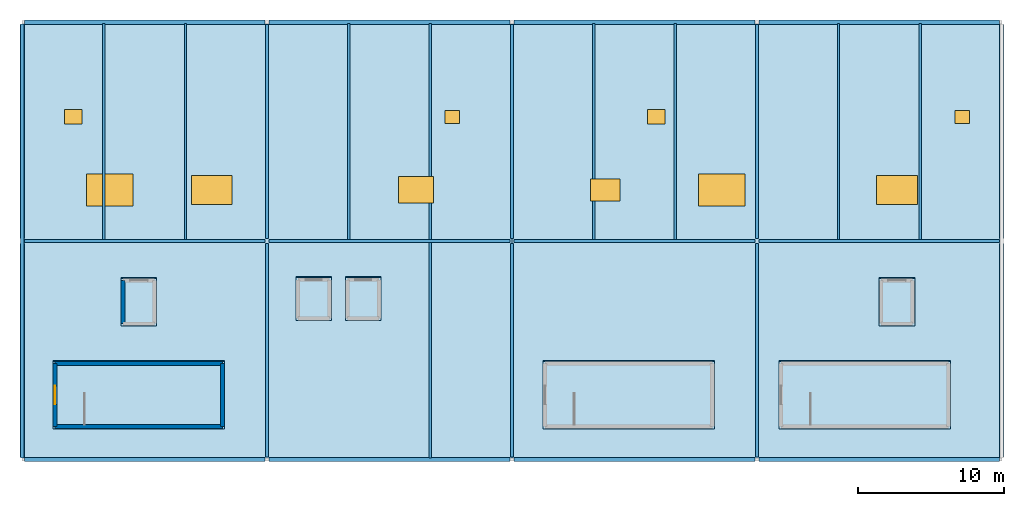
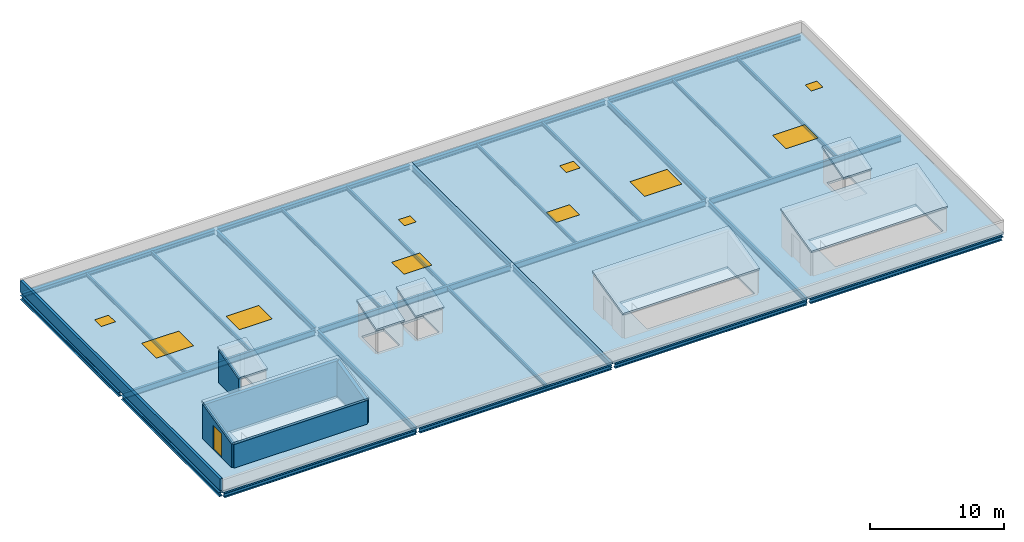
"""IFC4 building model written with IfcOpenShell, lengths in metres."""

from ifc_helpers import new_model, si_unit, direction, frame, frame_2d, origin, origin_2d, place, context, subcontext, project, spatial, polyline, rectangle, i_section, outline, extrude, material, layer, layer_set, material_profile, profile_set, type_object, element, fill, save


model = new_model("IFC4")

# Units and contexts
model_context = context("Model", 3, precision=1e-05, world=origin(), true_north=direction((0.0, 1.0)))
body_context = subcontext(model_context, "Body", "Model", "MODEL_VIEW")
ifc_project = project(units=[si_unit("LENGTHUNIT", "METRE"), si_unit("AREAUNIT", "SQUARE_METRE"), si_unit("VOLUMEUNIT", "CUBIC_METRE"), si_unit("PLANEANGLEUNIT", "RADIAN"), si_unit("MASSUNIT", "GRAM", prefix="KILO")], contexts=[model_context])

# Site, building, storey
site_placement = place(None, origin())
site = spatial("IfcSite", under=ifc_project, at=site_placement, CompositionType="ELEMENT")
building_placement = place(site_placement, origin())
building = spatial("IfcBuilding", under=site, at=building_placement, Name="Kimbaza Rail Terminus", CompositionType="ELEMENT")
storey_1_placement = place(building_placement, frame((0.0, 0.0, 28.800048828125)))
storey_1 = spatial("IfcBuildingStorey", under=building, at=storey_1_placement, Name="Roof", CompositionType="ELEMENT", Elevation=28.800048828125)

# Beams
ifc_material_1 = material(Name="Steel S355", Category="steel")
ifc_material_profile_1 = material_profile(ifc_material_1, i_section(OverallWidth=0.300048828125, OverallDepth=0.389892578125, WebThickness=0.010986328125, FlangeThickness=0.01904296875, FilletRadius=0.027099609375, at=origin_2d()), Name="HEA 400")
ifc_profile_set_1 = profile_set([ifc_material_profile_1], Name="Steel S355")
beam_type_1 = type_object("IfcBeamType", Name="STR-BM-HEA400", PredefinedType="SPANDREL", material=ifc_profile_set_1)
for number, where, z_axis, x_axis, name in (
    (1, (72.14599609375, 103.0, -0.400146484375), (1.0, 0.0, 0.0), (0.0, 1.0, 0.0), "Operations Girder Roof X0-Y0"),
    (2, (88.946044921875, 103.0, -0.400146484375), (1.0, 0.0, 0.0), (0.0, 1.0, 0.0), "Operations Girder Roof X1-Y0"),
):
    element("IfcBeam", number, at=place(storey_1_placement, frame(where, z_axis=z_axis, x_axis=x_axis)), inside=storey_1, type_object=beam_type_1, Name=name, PredefinedType="SPANDREL", context=body_context, shape_type="SweptSolid", body=[
        extrude(i_section(OverallWidth=0.300048828125, OverallDepth=0.389892578125, WebThickness=0.010986328125, FlangeThickness=0.01904296875, FilletRadius=0.027099609375, at=origin_2d()), origin(), (0.0, 0.0, 1.0), 16.508056640625),
    ])
beam_1_placement = place(storey_1_placement, frame((105.74609375, 103.0, -0.400146484375), z_axis=(1.0, 0.0, 0.0), x_axis=(0.0, 1.0, 0.0)))
element("IfcBeam", 3, at=beam_1_placement, inside=storey_1, type_object=beam_type_1, Name="Operations Girder Roof X2-Y0", PredefinedType="SPANDREL", context=body_context, shape_type="SweptSolid", body=[
    extrude(i_section(OverallWidth=0.300048828125, OverallDepth=0.389892578125, WebThickness=0.010986328125, FlangeThickness=0.01904296875, FilletRadius=0.027099609375, at=origin_2d()), origin(), (0.0, 0.0, 1.0), 16.5078125),
])
for number, where, z_axis, x_axis, name in (
    (4, (122.5458984375, 103.0, -0.400146484375), (1.0, 0.0, 0.0), (0.0, 1.0, 0.0), "Operations Girder Roof X3-Y0"),
    (5, (72.14599609375, 133.0, -0.400146484375), (1.0, 0.0, 0.0), (0.0, 1.0, 0.0), "Operations Girder Roof X0-Y2"),
    (6, (88.946044921875, 133.0, -0.400146484375), (1.0, 0.0, 0.0), (0.0, 1.0, 0.0), "Operations Girder Roof X1-Y2"),
):
    element("IfcBeam", number, at=place(storey_1_placement, frame(where, z_axis=z_axis, x_axis=x_axis)), inside=storey_1, type_object=beam_type_1, Name=name, PredefinedType="SPANDREL", context=body_context, shape_type="SweptSolid", body=[
        extrude(i_section(OverallWidth=0.300048828125, OverallDepth=0.389892578125, WebThickness=0.010986328125, FlangeThickness=0.01904296875, FilletRadius=0.027099609375, at=origin_2d()), origin(), (0.0, 0.0, 1.0), 16.508056640625),
    ])
beam_2_placement = place(storey_1_placement, frame((105.74609375, 133.0, -0.400146484375), z_axis=(1.0, 0.0, 0.0), x_axis=(0.0, 1.0, 0.0)))
element("IfcBeam", 7, at=beam_2_placement, inside=storey_1, type_object=beam_type_1, Name="Operations Girder Roof X2-Y2", PredefinedType="SPANDREL", context=body_context, shape_type="SweptSolid", body=[
    extrude(i_section(OverallWidth=0.300048828125, OverallDepth=0.389892578125, WebThickness=0.010986328125, FlangeThickness=0.01904296875, FilletRadius=0.027099609375, at=origin_2d()), origin(), (0.0, 0.0, 1.0), 16.5078125),
])
beam_3_placement = place(storey_1_placement, frame((122.5458984375, 133.0, -0.400146484375), z_axis=(1.0, 0.0, 0.0), x_axis=(0.0, 1.0, 0.0)))
element("IfcBeam", 8, at=beam_3_placement, inside=storey_1, type_object=beam_type_1, Name="Operations Girder Roof X3-Y2", PredefinedType="SPANDREL", context=body_context, shape_type="SweptSolid", body=[
    extrude(i_section(OverallWidth=0.300048828125, OverallDepth=0.389892578125, WebThickness=0.010986328125, FlangeThickness=0.01904296875, FilletRadius=0.027099609375, at=origin_2d()), origin(), (0.0, 0.0, 1.0), 16.508056640625),
])
for number, where, z_axis, x_axis, name in (
    (9, (72.0, 103.175048828125, -0.400146484375), (0.0, 1.0, 0.0), (-1.0, 0.0, 0.0), "Operations Cross Girder Roof X0-Y0"),
    (10, (72.0, 118.175048828125, -0.400146484375), (0.0, 1.0, 0.0), (-1.0, 0.0, 0.0), "Operations Cross Girder Roof X0-Y1"),
    (11, (139.199951171875, 103.175048828125, -0.400146484375), (0.0, 1.0, 0.0), (-1.0, 0.0, 0.0), "Operations Cross Girder Roof X4-Y0"),
    (12, (139.199951171875, 118.175048828125, -0.400146484375), (0.0, 1.0, 0.0), (-1.0, 0.0, 0.0), "Operations Cross Girder Roof X4-Y1"),
):
    element("IfcBeam", number, at=place(storey_1_placement, frame(where, z_axis=z_axis, x_axis=x_axis)), inside=storey_1, type_object=beam_type_1, Name=name, PredefinedType="SPANDREL", context=body_context, shape_type="SweptSolid", body=[
        extrude(i_section(OverallWidth=0.300048828125, OverallDepth=0.389892578125, WebThickness=0.010986328125, FlangeThickness=0.01904296875, FilletRadius=0.027099609375, at=origin_2d()), origin(), (0.0, 0.0, 1.0), 14.64990234375),
    ])
ifc_material_2 = material(Name="Steel S355", Category="steel")
ifc_material_profile_2 = material_profile(ifc_material_2, i_section(OverallWidth=0.159912109375, OverallDepth=0.330078125, WebThickness=0.007568359375, FlangeThickness=0.011474609375, FilletRadius=0.01806640625, at=origin_2d()), Name="IPE 330")
ifc_profile_set_2 = profile_set([ifc_material_profile_2], Name="Steel S355")
beam_type_2 = type_object("IfcBeamType", Name="STR-BM-IPE330", PredefinedType="JOIST", material=ifc_profile_set_2)
for number, where, z_axis, x_axis, name in (
    (13, (77.60009765625, 118.10009765625, -0.3701171875), (0.0, 1.0, 0.0), (-1.0, 0.0, 0.0), "Operations Secondary Joist Roof"),
    (14, (83.199951171875, 118.10009765625, -0.3701171875), (0.0, 1.0, 0.0), (-1.0, 0.0, 0.0), "Operations Secondary Joist Roof"),
    (15, (94.39990234375, 118.10009765625, -0.3701171875), (0.0, 1.0, 0.0), (-1.0, 0.0, 0.0), "Operations Secondary Joist Roof"),
    (16, (100.0, 103.10009765625, -0.3701171875), (0.0, 1.0, 0.0), (-1.0, 0.0, 0.0), "Operations Secondary Joist Roof"),
    (17, (100.0, 118.10009765625, -0.3701171875), (0.0, 1.0, 0.0), (-1.0, 0.0, 0.0), "Operations Secondary Joist Roof"),
    (18, (111.199951171875, 118.10009765625, -0.3701171875), (0.0, 1.0, 0.0), (-1.0, 0.0, 0.0), "Operations Secondary Joist Roof"),
    (19, (116.800048828125, 118.10009765625, -0.3701171875), (0.0, 1.0, 0.0), (-1.0, 0.0, 0.0), "Operations Secondary Joist Roof"),
    (20, (128.0, 118.10009765625, -0.3701171875), (0.0, 1.0, 0.0), (-1.0, 0.0, 0.0), "Operations Secondary Joist Roof"),
    (21, (133.60009765625, 118.10009765625, -0.3701171875), (0.0, 1.0, 0.0), (-1.0, 0.0, 0.0), "Operations Secondary Joist Roof"),
):
    element("IfcBeam", number, at=place(storey_1_placement, frame(where, z_axis=z_axis, x_axis=x_axis)), inside=storey_1, type_object=beam_type_2, Name=name, PredefinedType="JOIST", context=body_context, shape_type="SweptSolid", body=[
        extrude(i_section(OverallWidth=0.159912109375, OverallDepth=0.330078125, WebThickness=0.007568359375, FlangeThickness=0.011474609375, FilletRadius=0.01806640625, at=origin_2d()), origin(), (0.0, 0.0, 1.0), 14.7998046875),
    ])
ifc_material_3 = material(Name="Steel S355", Category="steel")
ifc_material_profile_3 = material_profile(ifc_material_3, i_section(OverallWidth=0.199951171875, OverallDepth=0.5, WebThickness=0.01025390625, FlangeThickness=0.01611328125, FilletRadius=0.02099609375, at=origin_2d()), Name="IPE 500")
ifc_profile_set_3 = profile_set([ifc_material_profile_3], Name="Steel S355")
beam_type_3 = type_object("IfcBeamType", Name="STR-BM-IPE500", PredefinedType="BEAM", material=ifc_profile_set_3)
for number, where, z_axis, x_axis, name in (
    (22, (88.800048828125, 103.175048828125, -0.455078125), (0.0, 1.0, 0.0), (-1.0, 0.0, 0.0), "Operations Cross Girder Roof X1-Y0"),
    (23, (88.800048828125, 118.175048828125, -0.455078125), (0.0, 1.0, 0.0), (-1.0, 0.0, 0.0), "Operations Cross Girder Roof X1-Y1"),
    (24, (105.60009765625, 103.175048828125, -0.455078125), (0.0, 1.0, 0.0), (-1.0, 0.0, 0.0), "Operations Cross Girder Roof X2-Y0"),
    (25, (105.60009765625, 118.175048828125, -0.455078125), (0.0, 1.0, 0.0), (-1.0, 0.0, 0.0), "Operations Cross Girder Roof X2-Y1"),
    (26, (122.39990234375, 103.175048828125, -0.455078125), (0.0, 1.0, 0.0), (-1.0, 0.0, 0.0), "Operations Cross Girder Roof X3-Y0"),
    (27, (122.39990234375, 118.175048828125, -0.455078125), (0.0, 1.0, 0.0), (-1.0, 0.0, 0.0), "Operations Cross Girder Roof X3-Y1"),
):
    element("IfcBeam", number, at=place(storey_1_placement, frame(where, z_axis=z_axis, x_axis=x_axis)), inside=storey_1, type_object=beam_type_3, Name=name, PredefinedType="BEAM", context=body_context, shape_type="SweptSolid", body=[
        extrude(i_section(OverallWidth=0.199951171875, OverallDepth=0.5, WebThickness=0.01025390625, FlangeThickness=0.01611328125, FilletRadius=0.02099609375, at=origin_2d()), origin(), (0.0, 0.0, 1.0), 14.64990234375),
    ])
ifc_material_4 = material(Name="Steel S355", Category="steel")
ifc_material_profile_4 = material_profile(ifc_material_4, i_section(OverallWidth=0.2099609375, OverallDepth=0.550048828125, WebThickness=0.010986328125, FlangeThickness=0.01708984375, FilletRadius=0.02392578125, at=origin_2d()), Name="IPE 550")
ifc_profile_set_4 = profile_set([ifc_material_profile_4], Name="Steel S355")
beam_type_4 = type_object("IfcBeamType", Name="STR-BM-IPE550", PredefinedType="BEAM", material=ifc_profile_set_4)
for number, where, z_axis, x_axis, name in (
    (28, (72.14599609375, 118.0, -0.47998046875), (1.0, 0.0, 0.0), (0.0, 1.0, 0.0), "Operations Girder Roof X0-Y1"),
    (29, (88.946044921875, 118.0, -0.47998046875), (1.0, 0.0, 0.0), (0.0, 1.0, 0.0), "Operations Girder Roof X1-Y1"),
):
    element("IfcBeam", number, at=place(storey_1_placement, frame(where, z_axis=z_axis, x_axis=x_axis)), inside=storey_1, type_object=beam_type_4, Name=name, PredefinedType="BEAM", context=body_context, shape_type="SweptSolid", body=[
        extrude(i_section(OverallWidth=0.2099609375, OverallDepth=0.550048828125, WebThickness=0.010986328125, FlangeThickness=0.01708984375, FilletRadius=0.02392578125, at=origin_2d()), origin(), (0.0, 0.0, 1.0), 16.508056640625),
    ])
beam_4_placement = place(storey_1_placement, frame((105.74609375, 118.0, -0.47998046875), z_axis=(1.0, 0.0, 0.0), x_axis=(0.0, 1.0, 0.0)))
element("IfcBeam", 30, at=beam_4_placement, inside=storey_1, type_object=beam_type_4, Name="Operations Girder Roof X2-Y1", PredefinedType="BEAM", context=body_context, shape_type="SweptSolid", body=[
    extrude(i_section(OverallWidth=0.2099609375, OverallDepth=0.550048828125, WebThickness=0.010986328125, FlangeThickness=0.01708984375, FilletRadius=0.02392578125, at=origin_2d()), origin(), (0.0, 0.0, 1.0), 16.5078125),
])
beam_5_placement = place(storey_1_placement, frame((122.5458984375, 118.0, -0.47998046875), z_axis=(1.0, 0.0, 0.0), x_axis=(0.0, 1.0, 0.0)))
element("IfcBeam", 31, at=beam_5_placement, inside=storey_1, type_object=beam_type_4, Name="Operations Girder Roof X3-Y1", PredefinedType="BEAM", context=body_context, shape_type="SweptSolid", body=[
    extrude(i_section(OverallWidth=0.2099609375, OverallDepth=0.550048828125, WebThickness=0.010986328125, FlangeThickness=0.01708984375, FilletRadius=0.02392578125, at=origin_2d()), origin(), (0.0, 0.0, 1.0), 16.508056640625),
])

# Slab, openings, doors
ifc_material_5 = material(Name="Concrete C40/50", Category="concrete")
ifc_layer_1 = layer(ifc_material_5, 0.205078125)
ifc_layer_set_1 = layer_set([ifc_layer_1], Name="Concrete C40/50")
slab_type = type_object("IfcSlabType", Name="STR-SL-RF205", PredefinedType="ROOF", material=ifc_layer_set_1)
slab_1_placement = place(storey_1_placement, frame((0.0, 0.0, -0.205078125)))
slab_1 = element("IfcSlab", 32, at=slab_1_placement, inside=storey_1, type_object=slab_type, Name="Operations Wing Roof Slab Zone 1", PredefinedType="ROOF", context=body_context, shape_type="SweptSolid", body=[
    extrude(outline(polyline([(72.0, 103.0), (105.60009765625, 103.0), (105.60009765625, 133.0), (72.0, 133.0), (72.0, 103.0)]), holes=[polyline([(76.344970703125, 105.39990234375), (85.60009765625, 105.39990234375), (85.60009765625, 109.43994140625), (76.344970703125, 109.43994140625), (76.344970703125, 105.39990234375)]), polyline([(91.050048828125, 112.800048828125), (92.949951171875, 112.800048828125), (92.949951171875, 115.199951171875), (91.050048828125, 115.199951171875), (91.050048828125, 112.800048828125)]), polyline([(94.449951171875, 112.800048828125), (96.35009765625, 112.800048828125), (96.35009765625, 115.199951171875), (94.449951171875, 115.199951171875), (94.449951171875, 112.800048828125)]), polyline([(79.050048828125, 112.449951171875), (80.949951171875, 112.449951171875), (80.949951171875, 115.14990234375), (79.050048828125, 115.14990234375), (79.050048828125, 112.449951171875)])]), origin(), (0.0, 0.0, 1.0), 0.205078125),
])
opening_1_placement = place(slab_1_placement, frame((78.0, 121.5, 0.0)))
opening_1 = element("IfcOpeningElement", 33, at=opening_1_placement, cuts=slab_1, Name="Opening SK-01", PredefinedType="OPENING", context=body_context, shape_type="SweptSolid", body=[
    extrude(rectangle(XDim=3.199951171875, YDim=2.199951171875, at=origin_2d()), frame((0.0, 0.0, -0.010009765625)), (0.0, 0.0, 1.0), 0.22509765625),
])
opening_2_placement = place(slab_1_placement, frame((85.0, 121.5, 0.0)))
opening_2 = element("IfcOpeningElement", 34, at=opening_2_placement, cuts=slab_1, Name="Opening SK-02", PredefinedType="OPENING", context=body_context, shape_type="SweptSolid", body=[
    extrude(rectangle(XDim=2.800048828125, YDim=2.0, at=origin_2d()), frame((0.0, 0.0, -0.010009765625)), (0.0, 0.0, 1.0), 0.22509765625),
])
opening_3_placement = place(slab_1_placement, frame((99.0, 121.5, 0.0)))
opening_3 = element("IfcOpeningElement", 35, at=opening_3_placement, cuts=slab_1, Name="Opening SK-03", PredefinedType="OPENING", context=body_context, shape_type="SweptSolid", body=[
    extrude(rectangle(XDim=2.39990234375, YDim=1.800048828125, at=origin_2d()), frame((0.0, 0.0, -0.010009765625)), (0.0, 0.0, 1.0), 0.22509765625),
])
opening_4_placement = place(slab_1_placement, frame((75.5, 126.5, 0.0)))
opening_4 = element("IfcOpeningElement", 36, at=opening_4_placement, cuts=slab_1, Name="Opening D-HT1", PredefinedType="OPENING", context=body_context, shape_type="SweptSolid", body=[
    extrude(rectangle(XDim=1.199951171875, YDim=1.0, at=origin_2d()), frame((0.0, 0.0, -0.010009765625)), (0.0, 0.0, 1.0), 0.22509765625),
])
opening_5_placement = place(slab_1_placement, frame((101.5, 126.5, 0.0)))
opening_5 = element("IfcOpeningElement", 37, at=opening_5_placement, cuts=slab_1, Name="Opening D-HT2", PredefinedType="OPENING", context=body_context, shape_type="SweptSolid", body=[
    extrude(rectangle(XDim=1.0, YDim=0.89990234375, at=origin_2d()), frame((0.0, 0.0, -0.010009765625)), (0.0, 0.0, 1.0), 0.22509765625),
])
ifc_material_6 = material(Name="Insulated aluminium roof access hatch", Category="aluminium")
door_type_1 = type_object("IfcDoorType", Name="ARC-DR-HT100", OperationType="NOTDEFINED", PredefinedType="TRAPDOOR", material=ifc_material_6)
door_1_placement = place(opening_5_placement, frame((0.0, 0.0, 0.155029296875)))
door_1 = element("IfcDoor", 38, at=door_1_placement, inside=storey_1, type_object=door_type_1, Name="HTC-V5-02", OperationType="SINGLE_SWING_LEFT", OverallHeight=0.89990234375, OverallWidth=1.0, PredefinedType="TRAPDOOR", context=body_context, shape_type="SweptSolid", body=[
    extrude(rectangle(XDim=1.0, YDim=0.89990234375, at=origin_2d()), origin(), (0.0, 0.0, 1.0), 0.050048828125),
])
fill(opening_5, door_1)
ifc_material_7 = material(Name="Insulated aluminium roof access hatch", Category="aluminium")
door_type_2 = type_object("IfcDoorType", Name="ARC-DR-HT120", OperationType="NOTDEFINED", PredefinedType="TRAPDOOR", material=ifc_material_7)
door_2_placement = place(opening_4_placement, frame((0.0, 0.0, 0.155029296875)))
door_2 = element("IfcDoor", 39, at=door_2_placement, inside=storey_1, type_object=door_type_2, Name="HTC-V5-01", OperationType="SINGLE_SWING_LEFT", OverallHeight=1.0, OverallWidth=1.199951171875, PredefinedType="TRAPDOOR", context=body_context, shape_type="SweptSolid", body=[
    extrude(rectangle(XDim=1.199951171875, YDim=1.0, at=origin_2d()), origin(), (0.0, 0.0, 1.0), 0.050048828125),
])
fill(opening_4, door_2)

# Storey
storey_2_placement = place(building_placement, frame((0.0, 0.0, 24.89990234375)))
storey_2 = spatial("IfcBuildingStorey", under=building, at=storey_2_placement, Name="L05", CompositionType="ELEMENT", Elevation=24.89990234375)

# Window
ifc_material_8 = material(Name="Laminated solar-control skylight glazing", Category="glass")
window_type_1 = type_object("IfcWindowType", Name="ARC-SKY-SK-01", PartitioningType="SINGLE_PANEL", PredefinedType="SKYLIGHT", material=ifc_material_8)
window_1_placement = place(opening_1_placement, frame((0.0, 0.0, 0.155029296875)))
window_1 = element("IfcWindow", 40, at=window_1_placement, inside=storey_2, type_object=window_type_1, Name="Corridor Daylight Skylight SKY-V5-01", OverallHeight=2.199951171875, OverallWidth=3.199951171875, PartitioningType="SINGLE_PANEL", PredefinedType="SKYLIGHT", context=body_context, shape_type="SweptSolid", body=[
    extrude(rectangle(XDim=3.199951171875, YDim=2.199951171875, at=origin_2d()), origin(), (0.0, 0.0, 1.0), 0.050048828125),
])

fill(opening_1, window_1)

ifc_material_9 = material(Name="Laminated solar-control skylight glazing", Category="glass")
window_type_2 = type_object("IfcWindowType", Name="ARC-SKY-SK-02", PartitioningType="SINGLE_PANEL", PredefinedType="SKYLIGHT", material=ifc_material_9)
window_2_placement = place(opening_2_placement, frame((0.0, 0.0, 0.155029296875)))
window_2 = element("IfcWindow", 41, at=window_2_placement, inside=storey_2, type_object=window_type_2, Name="Corridor Daylight Skylight SKY-V5-02", OverallHeight=2.0, OverallWidth=2.800048828125, PartitioningType="SINGLE_PANEL", PredefinedType="SKYLIGHT", context=body_context, shape_type="SweptSolid", body=[
    extrude(rectangle(XDim=2.800048828125, YDim=2.0, at=origin_2d()), origin(), (0.0, 0.0, 1.0), 0.050048828125),
])

fill(opening_2, window_2)

ifc_material_10 = material(Name="Laminated solar-control skylight glazing", Category="glass")
window_type_3 = type_object("IfcWindowType", Name="ARC-SKY-SK-03", PartitioningType="SINGLE_PANEL", PredefinedType="SKYLIGHT", material=ifc_material_10)
window_3_placement = place(opening_3_placement, frame((0.0, 0.0, 0.155029296875)))
window_3 = element("IfcWindow", 42, at=window_3_placement, inside=storey_2, type_object=window_type_3, Name="Corridor Daylight Skylight SKY-V5-03", OverallHeight=1.800048828125, OverallWidth=2.39990234375, PartitioningType="SINGLE_PANEL", PredefinedType="SKYLIGHT", context=body_context, shape_type="SweptSolid", body=[
    extrude(rectangle(XDim=2.39990234375, YDim=1.800048828125, at=origin_2d()), origin(), (0.0, 0.0, 1.0), 0.050048828125),
])

fill(opening_3, window_3)

# Slab, openings, doors, windows
slab_2_placement = place(storey_1_placement, frame((0.0, 0.0, -0.205078125)))
slab_2 = element("IfcSlab", 43, at=slab_2_placement, inside=storey_1, type_object=slab_type, Name="Operations Wing Roof Slab Zone 2", PredefinedType="ROOF", context=body_context, shape_type="SweptSolid", body=[
    extrude(outline(polyline([(105.60009765625, 103.0), (139.199951171875, 103.0), (139.199951171875, 133.0), (105.60009765625, 133.0), (105.60009765625, 103.0)]), holes=[polyline([(109.945068359375, 105.39990234375), (119.199951171875, 105.39990234375), (119.199951171875, 109.43994140625), (109.945068359375, 109.43994140625), (109.945068359375, 105.39990234375)]), polyline([(126.14501953125, 105.39990234375), (135.39990234375, 105.39990234375), (135.39990234375, 109.43994140625), (126.14501953125, 109.43994140625), (126.14501953125, 105.39990234375)]), polyline([(131.050048828125, 112.449951171875), (132.949951171875, 112.449951171875), (132.949951171875, 115.14990234375), (131.050048828125, 115.14990234375), (131.050048828125, 112.449951171875)])]), origin(), (0.0, 0.0, 1.0), 0.205078125),
])
opening_6_placement = place(slab_2_placement, frame((112.0, 121.5, 0.0)))
opening_6 = element("IfcOpeningElement", 44, at=opening_6_placement, cuts=slab_2, Name="Opening SK-04", PredefinedType="OPENING", context=body_context, shape_type="SweptSolid", body=[
    extrude(rectangle(XDim=2.0, YDim=1.5, at=origin_2d()), frame((0.0, 0.0, -0.010009765625)), (0.0, 0.0, 1.0), 0.22509765625),
])
opening_7_placement = place(slab_2_placement, frame((120.0, 121.5, 0.0)))
opening_7 = element("IfcOpeningElement", 45, at=opening_7_placement, cuts=slab_2, Name="Opening SK-01", PredefinedType="OPENING", context=body_context, shape_type="SweptSolid", body=[
    extrude(rectangle(XDim=3.199951171875, YDim=2.199951171875, at=origin_2d()), frame((0.0, 0.0, -0.010009765625)), (0.0, 0.0, 1.0), 0.22509765625),
])
opening_8_placement = place(slab_2_placement, frame((132.0, 121.5, 0.0)))
opening_8 = element("IfcOpeningElement", 46, at=opening_8_placement, cuts=slab_2, Name="Opening SK-02", PredefinedType="OPENING", context=body_context, shape_type="SweptSolid", body=[
    extrude(rectangle(XDim=2.800048828125, YDim=2.0, at=origin_2d()), frame((0.0, 0.0, -0.010009765625)), (0.0, 0.0, 1.0), 0.22509765625),
])
opening_9_placement = place(slab_2_placement, frame((115.5, 126.5, 0.0)))
opening_9 = element("IfcOpeningElement", 47, at=opening_9_placement, cuts=slab_2, Name="Opening D-HT1", PredefinedType="OPENING", context=body_context, shape_type="SweptSolid", body=[
    extrude(rectangle(XDim=1.199951171875, YDim=1.0, at=origin_2d()), frame((0.0, 0.0, -0.010009765625)), (0.0, 0.0, 1.0), 0.22509765625),
])
opening_10_placement = place(slab_2_placement, frame((136.5, 126.5, 0.0)))
opening_10 = element("IfcOpeningElement", 48, at=opening_10_placement, cuts=slab_2, Name="Opening D-HT2", PredefinedType="OPENING", context=body_context, shape_type="SweptSolid", body=[
    extrude(rectangle(XDim=1.0, YDim=0.89990234375, at=origin_2d()), frame((0.0, 0.0, -0.010009765625)), (0.0, 0.0, 1.0), 0.22509765625),
])
door_3_placement = place(opening_10_placement, frame((0.0, 0.0, 0.155029296875)))
door_3 = element("IfcDoor", 49, at=door_3_placement, inside=storey_1, type_object=door_type_1, Name="HTC-V5-04", OperationType="SINGLE_SWING_LEFT", OverallHeight=0.89990234375, OverallWidth=1.0, PredefinedType="TRAPDOOR", context=body_context, shape_type="SweptSolid", body=[
    extrude(rectangle(XDim=1.0, YDim=0.89990234375, at=origin_2d()), origin(), (0.0, 0.0, 1.0), 0.050048828125),
])
fill(opening_10, door_3)
door_4_placement = place(opening_9_placement, frame((0.0, 0.0, 0.155029296875)))
door_4 = element("IfcDoor", 50, at=door_4_placement, inside=storey_1, type_object=door_type_2, Name="HTC-V5-03", OperationType="SINGLE_SWING_LEFT", OverallHeight=1.0, OverallWidth=1.199951171875, PredefinedType="TRAPDOOR", context=body_context, shape_type="SweptSolid", body=[
    extrude(rectangle(XDim=1.199951171875, YDim=1.0, at=origin_2d()), origin(), (0.0, 0.0, 1.0), 0.050048828125),
])
fill(opening_9, door_4)
window_4_placement = place(opening_7_placement, frame((0.0, 0.0, 0.155029296875)))
window_4 = element("IfcWindow", 51, at=window_4_placement, inside=storey_2, type_object=window_type_1, Name="Corridor Daylight Skylight SKY-V5-05", OverallHeight=2.199951171875, OverallWidth=3.199951171875, PartitioningType="SINGLE_PANEL", PredefinedType="SKYLIGHT", context=body_context, shape_type="SweptSolid", body=[
    extrude(rectangle(XDim=3.199951171875, YDim=2.199951171875, at=origin_2d()), origin(), (0.0, 0.0, 1.0), 0.050048828125),
])
fill(opening_7, window_4)
window_5_placement = place(opening_8_placement, frame((0.0, 0.0, 0.155029296875)))
window_5 = element("IfcWindow", 52, at=window_5_placement, inside=storey_2, type_object=window_type_2, Name="Corridor Daylight Skylight SKY-V5-06", OverallHeight=2.0, OverallWidth=2.800048828125, PartitioningType="SINGLE_PANEL", PredefinedType="SKYLIGHT", context=body_context, shape_type="SweptSolid", body=[
    extrude(rectangle(XDim=2.800048828125, YDim=2.0, at=origin_2d()), origin(), (0.0, 0.0, 1.0), 0.050048828125),
])
fill(opening_8, window_5)
ifc_material_11 = material(Name="Laminated solar-control skylight glazing", Category="glass")
window_type_4 = type_object("IfcWindowType", Name="ARC-SKY-SK-04", PartitioningType="SINGLE_PANEL", PredefinedType="SKYLIGHT", material=ifc_material_11)
window_6_placement = place(opening_6_placement, frame((0.0, 0.0, 0.155029296875)))
window_6 = element("IfcWindow", 53, at=window_6_placement, inside=storey_2, type_object=window_type_4, Name="Corridor Daylight Skylight SKY-V5-04", OverallHeight=1.5, OverallWidth=2.0, PartitioningType="SINGLE_PANEL", PredefinedType="SKYLIGHT", context=body_context, shape_type="SweptSolid", body=[
    extrude(rectangle(XDim=2.0, YDim=1.5, at=origin_2d()), origin(), (0.0, 0.0, 1.0), 0.050048828125),
])
fill(opening_6, window_6)

# Slabs
slab_3_placement = place(storey_1_placement, frame((74.110107421875, 105.110107421875, 2.349853515625), z_axis=(0.0, -0.231646010763, 0.972800146843), x_axis=(1.0, 0.0, 0.0)))
element("IfcSlab", 54, at=slab_3_placement, inside=storey_1, type_object=slab_type, Name="Operations West Exit Stair Roof Headhouse Slab", PredefinedType="ROOF", context=body_context, shape_type="SweptSolid", body=[
    extrude(outline(polyline([(0.0, 0.0), (11.77978515625, 0.0), (11.77978515625, 4.749046411915643), (0.0, 4.749046411915643), (0.0, 0.0)])), origin(), (0.0, 0.0, -1.0), 0.205078125),
])
for number, where, z_axis, x_axis, name in (
    (55, (107.7099609375, 105.110107421875, 2.349853515625), (0.0, -0.231646010763, 0.972800146843), (1.0, 0.0, 0.0), "Operations Central Exit Stair Roof Headhouse Slab"),
    (56, (123.909912109375, 105.110107421875, 2.349853515625), (0.0, -0.231646010763, 0.972800146843), (1.0, 0.0, 0.0), "Operations East Exit Stair Roof Headhouse Slab"),
):
    element("IfcSlab", number, at=place(storey_1_placement, frame(where, z_axis=z_axis, x_axis=x_axis)), inside=storey_1, type_object=slab_type, Name=name, PredefinedType="ROOF", context=body_context, shape_type="SweptSolid", body=[
        extrude(outline(polyline([(0.0, 0.0), (11.780029296875, 0.0), (11.780029296875, 4.749046411915643), (0.0, 4.749046411915643), (0.0, 0.0)])), origin(), (0.0, 0.0, -1.0), 0.205078125),
    ])
for number, where, z_axis, x_axis, name in (
    (57, (90.77001953125, 112.52001953125, 2.349853515625), (0.0, -0.290951220315, 0.956737888555), (1.0, 0.0, 0.0), "Lift Shaft Overrun Cap Slab LP-08"),
    (58, (94.169921875, 112.52001953125, 2.349853515625), (0.0, -0.290951220315, 0.956737888555), (1.0, 0.0, 0.0), "Lift Shaft Overrun Cap Slab LP-09"),
):
    element("IfcSlab", number, at=place(storey_1_placement, frame(where, z_axis=z_axis, x_axis=x_axis)), inside=storey_1, type_object=slab_type, Name=name, PredefinedType="ROOF", context=body_context, shape_type="SweptSolid", body=[
        extrude(outline(polyline([(0.0, 0.0), (2.4599609375, 0.0), (2.4599609375, 3.093805495641016), (0.0, 3.093805495641016), (0.0, 0.0)])), origin(), (0.0, 0.0, -1.0), 0.205078125),
    ])
for number, where, z_axis, x_axis, name in (
    (59, (78.77001953125, 112.169921875, 2.349853515625), (0.0, -0.266157998803, 0.963929416333), (1.0, 0.0, 0.0), "Lift Shaft Overrun Cap Slab LF-01"),
    (60, (130.77001953125, 112.169921875, 2.349853515625), (0.0, -0.266157998803, 0.963929416333), (1.0, 0.0, 0.0), "Lift Shaft Overrun Cap Slab LF-02"),
):
    element("IfcSlab", number, at=place(storey_1_placement, frame(where, z_axis=z_axis, x_axis=x_axis)), inside=storey_1, type_object=slab_type, Name=name, PredefinedType="ROOF", context=body_context, shape_type="SweptSolid", body=[
        extrude(outline(polyline([(0.0, 0.0), (2.4599609375, 0.0), (2.4599609375, 3.3820004975314593), (0.0, 3.3820004975314593), (0.0, 0.0)])), origin(), (0.0, 0.0, -1.0), 0.205078125),
    ])

# Walls
ifc_material_12 = material(Name="Precast concrete C40/50", Category="concrete")
ifc_layer_2 = layer(ifc_material_12, 0.219970703125)
ifc_layer_set_2 = layer_set([ifc_layer_2], Name="Precast concrete C40/50")
wall_type_1 = type_object("IfcWallType", Name="ARC-WL-PAR220", PredefinedType="PARAPET", material=ifc_layer_set_2)
wall_1_placement = place(storey_1_placement, frame((72.0, 132.889892578125, 0.0), z_axis=(0.0, 0.0, 1.0), x_axis=(0.0, -1.0, 0.0)))
element("IfcWall", 61, at=wall_1_placement, inside=storey_1, type_object=wall_type_1, Name="Operations Roof Parapet 4", PredefinedType="PARAPET", context=body_context, shape_type="SweptSolid", body=[
    extrude(rectangle(XDim=29.77978515625, YDim=0.219970703125, at=frame_2d((14.889892578125, 0.0))), origin(), (0.0, 0.0, 1.0), 1.050048828125),
])
ifc_material_13 = material(Name="Concrete C40/50", Category="concrete")
ifc_layer_3 = layer(ifc_material_13, 0.2548828125)
ifc_layer_set_3 = layer_set([ifc_layer_3], Name="Concrete C40/50")
wall_type_2 = type_object("IfcWallType", Name="STR-WL-CREX255", PredefinedType="SHEAR", material=ifc_layer_set_3)
wall_2_placement = place(storey_1_placement, frame((78.919921875, 115.280029296875, 0.0), z_axis=(0.0, 0.0, 1.0), x_axis=(0.0, -1.0, 0.0)))
element("IfcWall", 62, at=wall_2_placement, inside=storey_1, type_object=wall_type_2, Name="Lift Shaft Wall LF-01 Roof-4", PredefinedType="SHEAR", context=body_context, shape_type="SweptSolid", body=[
    extrude(outline(polyline([(0.0, 0.0), (2.9599609375, 0.0), (2.9599609375, 2.141357421875), (0.0, 2.958740234375), (0.0, 0.0)])), frame((0.0, 0.12744140625, 0.0), z_axis=(0.0, -1.0, 0.0), x_axis=(1.0, 0.0, 0.0)), (0.0, 0.0, 1.0), 0.2548828125),
])
ifc_material_14 = material(Name="Concrete C40/50", Category="concrete")
ifc_layer_4 = layer(ifc_material_14, 0.284912109375)
ifc_layer_set_4 = layer_set([ifc_layer_4], Name="Concrete C40/50")
wall_type_3 = type_object("IfcWallType", Name="STR-WL-CREX285", PredefinedType="SHEAR", material=ifc_layer_set_4)
wall_3_placement = place(storey_1_placement, frame((74.260009765625, 105.260009765625, 0.0), z_axis=(0.0, 0.0, 1.0), x_axis=(1.0, 0.0, 0.0)))
element("IfcWall", 63, at=wall_3_placement, inside=storey_1, type_object=wall_type_3, Name="Operations West Exit Stair Shaft Wall Roof-1", PredefinedType="SHEAR", context=body_context, shape_type="SweptSolid", body=[
    extrude(rectangle(XDim=11.47998046875, YDim=0.284912109375, at=frame_2d((5.739990234375, 0.0))), origin(), (0.0, 0.0, 1.0), 2.13916015625),
])
wall_4_placement = place(storey_1_placement, frame((85.739990234375, 105.260009765625, 0.0), z_axis=(0.0, 0.0, 1.0), x_axis=(0.0, 1.0, 0.0)))
element("IfcWall", 64, at=wall_4_placement, inside=storey_1, type_object=wall_type_3, Name="Operations West Exit Stair Shaft Wall Roof-2", PredefinedType="SHEAR", context=body_context, shape_type="SweptSolid", body=[
    extrude(outline(polyline([(0.0, 0.0), (4.320068359375, 0.0), (4.320068359375, 3.16748046875), (0.0, 2.13916015625), (0.0, 0.0)])), frame((0.0, 0.142578125, 0.0), z_axis=(0.0, -1.0, 0.0), x_axis=(1.0, 0.0, 0.0)), (0.0, 0.0, 1.0), 0.284912109375),
])
wall_5_placement = place(storey_1_placement, frame((85.739990234375, 109.580078125, 0.0), z_axis=(0.0, 0.0, 1.0), x_axis=(-1.0, 0.0, 0.0)))
element("IfcWall", 65, at=wall_5_placement, inside=storey_1, type_object=wall_type_3, Name="Operations West Exit Stair Shaft Wall Roof-3", PredefinedType="SHEAR", context=body_context, shape_type="SweptSolid", body=[
    extrude(rectangle(XDim=11.47998046875, YDim=0.284912109375, at=frame_2d((5.739990234375, 0.0))), origin(), (0.0, 0.0, 1.0), 3.16748046875),
])

# Wall, opening, door
wall_6_placement = place(storey_1_placement, frame((74.260009765625, 109.580078125, 0.0), z_axis=(0.0, 0.0, 1.0), x_axis=(0.0, -1.0, 0.0)))
wall_6 = element("IfcWall", 66, at=wall_6_placement, inside=storey_1, type_object=wall_type_3, Name="Operations West Exit Stair Shaft Wall Roof-4", PredefinedType="SHEAR", context=body_context, shape_type="SweptSolid", body=[
    extrude(outline(polyline([(0.0, 0.0), (4.320068359375, 0.0), (4.320068359375, 2.13916015625), (0.0, 3.16748046875), (0.0, 0.0)])), frame((0.0, 0.142578125, 0.0), z_axis=(0.0, -1.0, 0.0), x_axis=(1.0, 0.0, 0.0)), (0.0, 0.0, 1.0), 0.284912109375),
])
opening_11_placement = place(wall_6_placement, frame((1.530029296875, 0.0, 0.0)))
opening_11 = element("IfcOpeningElement", 67, at=opening_11_placement, cuts=wall_6, Name="Opening FD-E2", PredefinedType="OPENING", context=body_context, shape_type="SweptSolid", body=[
    extrude(rectangle(XDim=1.260009765625, YDim=2.199951171875, at=frame_2d((0.6298828125, 1.10009765625))), frame((0.0, 0.15234375, 0.0), z_axis=(0.0, -1.0, 0.0), x_axis=(1.0, 0.0, 0.0)), (0.0, 0.0, 1.0), 0.304931640625),
])
ifc_material_15 = material(Name="Weatherproof galvanised steel headhouse door", Category="steel")
door_type_3 = type_object("IfcDoorType", Name="ARC-DR-FDE125", OperationType="NOTDEFINED", PredefinedType="DOOR", material=ifc_material_15)
door_5_placement = place(opening_11_placement, origin())
door_5 = element("IfcDoor", 68, at=door_5_placement, inside=storey_1, type_object=door_type_3, Name="SDR-ST-W1-Roof", OperationType="SINGLE_SWING_RIGHT", OverallHeight=2.199951171875, OverallWidth=1.260009765625, PredefinedType="DOOR", context=body_context, shape_type="SweptSolid", body=[
    extrude(rectangle(XDim=1.260009765625, YDim=2.199951171875, at=frame_2d((0.6298828125, 1.10009765625))), frame((0.0, 0.02490234375, 0.0), z_axis=(0.0, -1.0, 0.0), x_axis=(1.0, 0.0, 0.0)), (0.0, 0.0, 1.0), 0.050048828125),
])
fill(opening_11, door_5)

save(model, "model.ifc")
